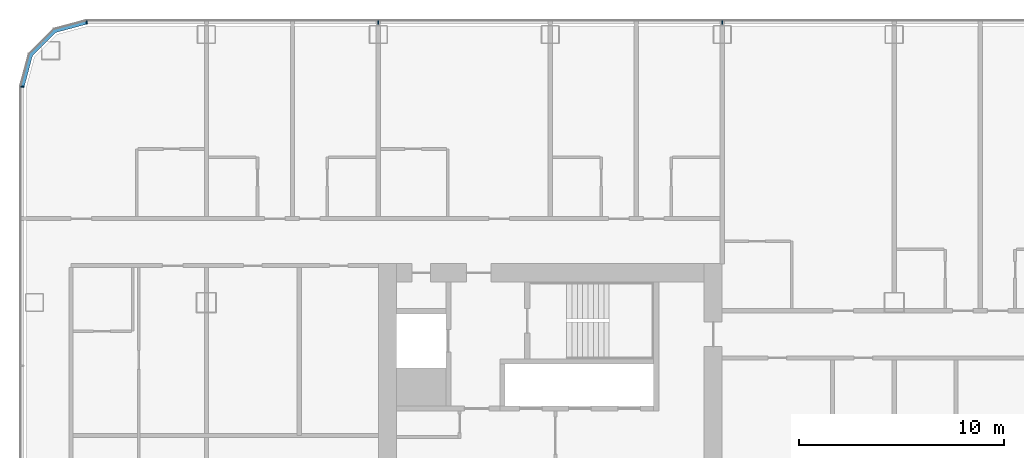
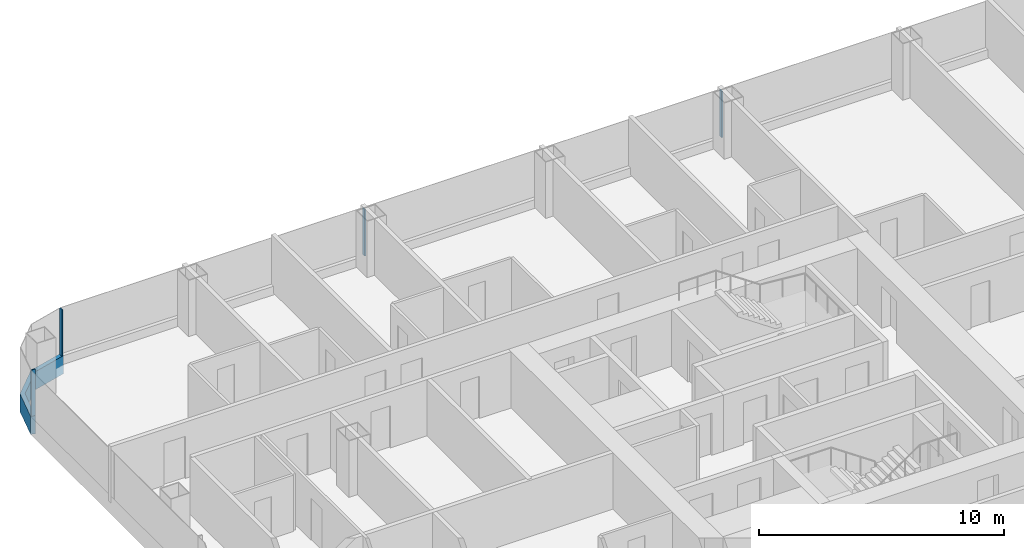
# One storey, part 6 of 28: 5 members, 3 elements without a shape of their own.
"""IFC4 building model written with IfcOpenShell, lengths in metres."""

from ifc_helpers import new_model, si_unit, direction, frame, origin, origin_2d, place, context, subcontext, project, spatial, polyline, rectangle, outline, extrude, material, layer, layer_set, material_profile, profile_set, type_object, element, aggregate, save


model = new_model("IFC4")

# Units and contexts
model_context = context("Model", 3, precision=1e-05, world=origin(), true_north=direction((0.0, 1.0)))
body_context = subcontext(model_context, "Body", "Model", "MODEL_VIEW")
ifc_project = project(units=[si_unit("LENGTHUNIT", "METRE"), si_unit("AREAUNIT", "SQUARE_METRE"), si_unit("VOLUMEUNIT", "CUBIC_METRE"), si_unit("PLANEANGLEUNIT", "RADIAN"), si_unit("MASSUNIT", "GRAM", prefix="KILO")], contexts=[model_context])

# Site, building, storey
site_placement = place(None, origin())
site = spatial("IfcSite", under=ifc_project, at=site_placement, CompositionType="ELEMENT")
building_placement = place(site_placement, origin())
building = spatial("IfcBuilding", under=site, at=building_placement, Name="Hakoniwa Tower and Hamabe Station Hall", CompositionType="ELEMENT")
storey_placement = place(building_placement, frame((0.0, 0.0, 42.199951171875)))
storey = spatial("IfcBuildingStorey", under=building, at=storey_placement, Name="L11", CompositionType="ELEMENT", Elevation=42.199951171875)

# Curtain wall, member
ifc_material_1 = material(Name="Dark low-e laminated glass", Category="glass")
ifc_layer = layer(ifc_material_1, 0.199951171875)
ifc_layer_set = layer_set([ifc_layer], Name="CW-1 UNITISED GUEST")
curtain_wall_type = type_object("IfcCurtainWallType", Name="CW-1 UNITISED GUEST", PredefinedType="NOTDEFINED", material=ifc_layer_set)
curtain_wall_1_placement = place(storey_placement, origin())
curtain_wall_1 = element("IfcCurtainWall", 1, at=curtain_wall_1_placement, inside=storey, type_object=curtain_wall_type, Name="CW-1 curtain wall", PredefinedType="NOTDEFINED")
ifc_material_2 = material(Name="Aluminium 6063-T5 black anodised", Category="aluminium")
ifc_material_profile_1 = material_profile(ifc_material_2, rectangle(XDim=0.199951171875, YDim=0.89990234375, at=origin_2d()), Name="CW SLAB-EDGE BAND 900X200")
ifc_profile_set_1 = profile_set([ifc_material_profile_1], Name="Aluminium 6063-T5 black anodised")
member_type_1 = type_object("IfcMemberType", Name="CW SLAB-EDGE BAND 900X200", PredefinedType="USERDEFINED", material=ifc_profile_set_1)
member_1_placement = place(storey_placement, frame((0.0, 0.0, -0.550048828125)))
member_1 = element("IfcMember", 2, at=member_1_placement, type_object=member_type_1, Name="CW-1 transom", ObjectType="TRANSOM", PredefinedType="USERDEFINED", context=body_context, shape_type="SweptSolid", body=[
    extrude(outline(polyline([(-47.839599609375, 20.300048828125), (-49.455322265625, 19.866943359375), (-50.6669921875, 18.6552734375), (-51.10009765625, 17.03955078125), (-50.90673828125, 16.98779296875), (-50.48779296875, 18.5517578125), (-49.351806640625, 19.687744140625), (-47.787841796875, 20.10693359375), (-47.839599609375, 20.300048828125)])), origin(), (0.0, 0.0, 1.0), 0.900146484375),
])
aggregate(curtain_wall_1, [member_1])

# Curtain wall, members
curtain_wall_2_placement = place(storey_placement, origin())
curtain_wall_2 = element("IfcCurtainWall", 3, at=curtain_wall_2_placement, inside=storey, type_object=curtain_wall_type, Name="CW-1 curtain wall", PredefinedType="NOTDEFINED")
ifc_material_3 = material(Name="Aluminium 6063-T5 black anodised", Category="aluminium")
ifc_material_profile_2 = material_profile(ifc_material_3, rectangle(XDim=0.06005859375, YDim=0.179931640625, at=origin_2d()), Name="CW-1 MULLION 60X180")
ifc_profile_set_2 = profile_set([ifc_material_profile_2], Name="Aluminium 6063-T5 black anodised")
member_type_2 = type_object("IfcMemberType", Name="CW-1 MULLION 60X180", PredefinedType="MULLION", material=ifc_profile_set_2)
member_2_placement = place(storey_placement, frame((-16.800048828125, 20.181884765625, 0.35009765625), z_axis=(0.0, 0.0, 1.0), x_axis=(-1.0, 0.0, 0.0)))
member_2 = element("IfcMember", 4, at=member_2_placement, type_object=member_type_2, Name="CW-1 mullion", PredefinedType="MULLION", context=body_context, shape_type="SweptSolid", body=[
    extrude(rectangle(XDim=0.06005859375, YDim=0.179931640625, at=origin_2d()), origin(), (0.0, 0.0, 1.0), 2.300048828125),
])
member_3_placement = place(storey_placement, frame((-33.60009765625, 20.181884765625, 0.35009765625), z_axis=(0.0, 0.0, 1.0), x_axis=(-1.0, 0.0, 0.0)))
member_3 = element("IfcMember", 5, at=member_3_placement, type_object=member_type_2, Name="CW-1 mullion", PredefinedType="MULLION", context=body_context, shape_type="SweptSolid", body=[
    extrude(rectangle(XDim=0.06005859375, YDim=0.179931640625, at=origin_2d()), origin(), (0.0, 0.0, 1.0), 2.300048828125),
])
member_4_placement = place(storey_placement, frame((-47.839599609375, 20.181884765625, 0.35009765625), z_axis=(0.0, 0.0, 1.0), x_axis=(-1.0, 0.0, 0.0)))
member_4 = element("IfcMember", 6, at=member_4_placement, type_object=member_type_2, Name="CW-1 mullion", PredefinedType="MULLION", context=body_context, shape_type="SweptSolid", body=[
    extrude(rectangle(XDim=0.06005859375, YDim=0.179931640625, at=origin_2d()), origin(), (0.0, 0.0, 1.0), 2.300048828125),
])
aggregate(curtain_wall_2, [member_2, member_3, member_4])

# Curtain wall, member
curtain_wall_3_placement = place(storey_placement, origin())
curtain_wall_3 = element("IfcCurtainWall", 7, at=curtain_wall_3_placement, inside=storey, type_object=curtain_wall_type, Name="CW-1 curtain wall", PredefinedType="NOTDEFINED")
member_5_placement = place(storey_placement, frame((-50.98193359375, 17.03955078125, 0.35009765625), z_axis=(0.0, 0.0, 1.0), x_axis=(0.0, -1.0, 0.0)))
member_5 = element("IfcMember", 8, at=member_5_placement, type_object=member_type_2, Name="CW-1 mullion", PredefinedType="MULLION", context=body_context, shape_type="SweptSolid", body=[
    extrude(rectangle(XDim=0.06005859375, YDim=0.179931640625, at=origin_2d()), origin(), (0.0, 0.0, 1.0), 2.300048828125),
])
aggregate(curtain_wall_3, [member_5])

save(model, "model.ifc")
